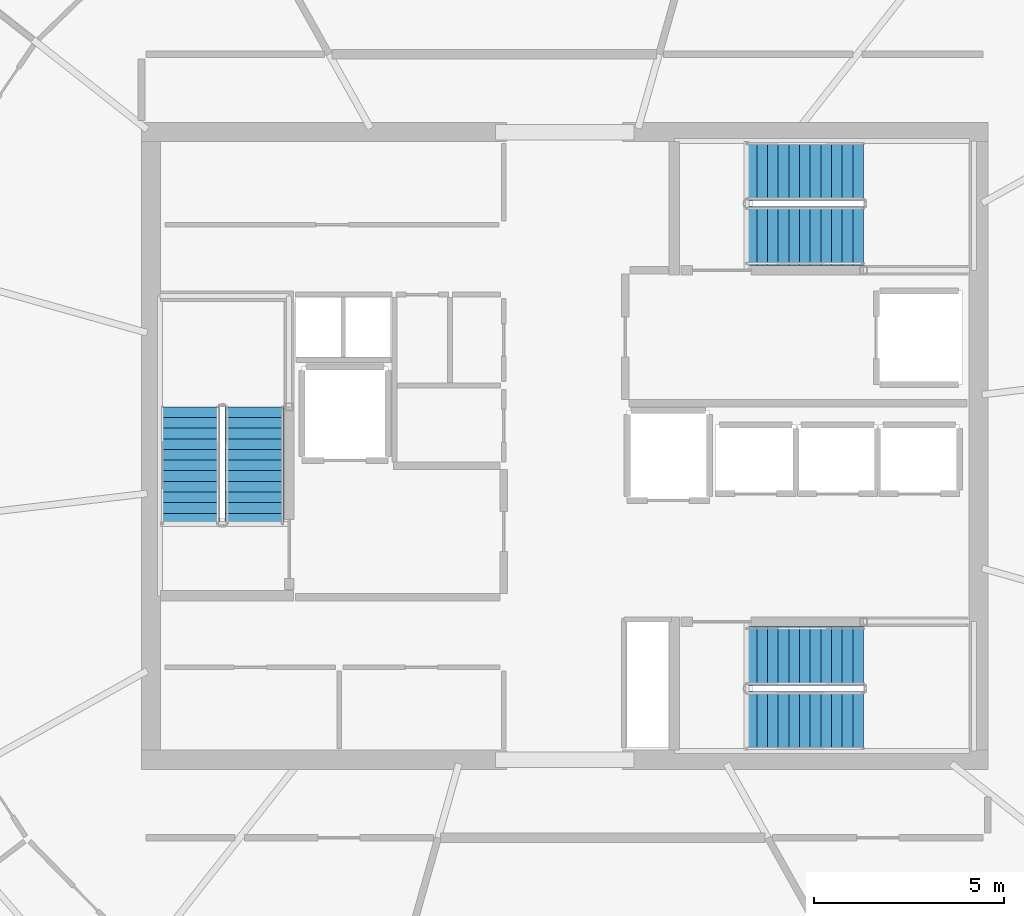
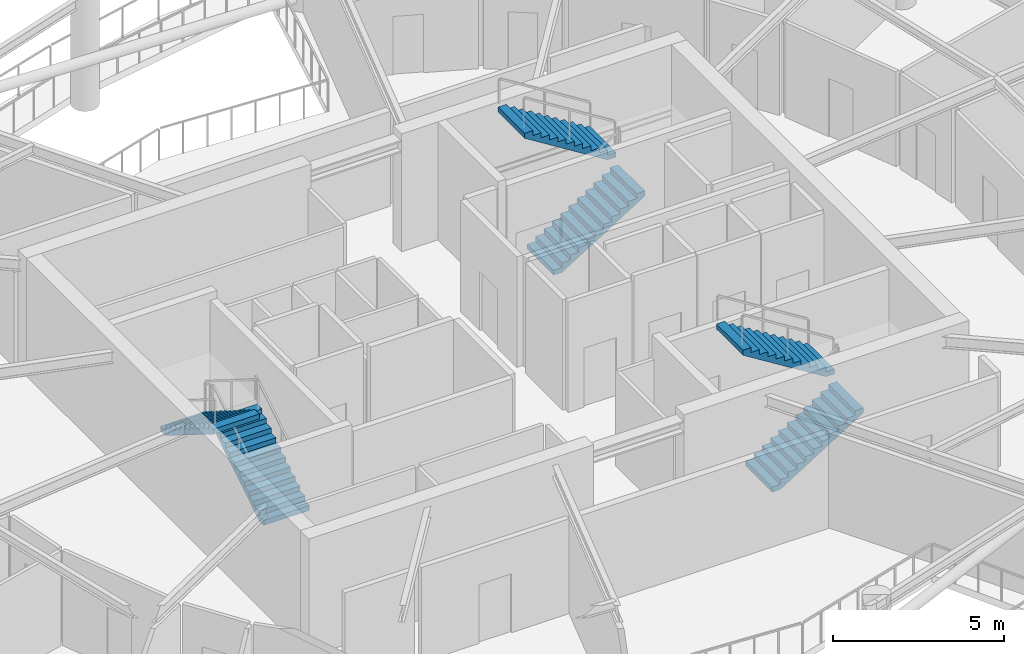
# One storey, part 17 of 22: 6 stair flights, 3 elements without a shape of their own.
"""IFC4 building model written with IfcOpenShell, lengths in metres."""

from ifc_helpers import new_model, si_unit, direction, frame, origin, place, context, subcontext, project, spatial, polyline, outline, extrude, material, type_object, element, aggregate, save


model = new_model("IFC4")

# Units and contexts
model_context = context("Model", 3, precision=1e-05, world=origin(), true_north=direction((0.0, 1.0)))
body_context = subcontext(model_context, "Body", "Model", "MODEL_VIEW")
ifc_project = project(units=[si_unit("LENGTHUNIT", "METRE"), si_unit("AREAUNIT", "SQUARE_METRE"), si_unit("VOLUMEUNIT", "CUBIC_METRE"), si_unit("PLANEANGLEUNIT", "RADIAN"), si_unit("MASSUNIT", "GRAM", prefix="KILO")], contexts=[model_context])

# Site, building, storey
site_placement = place(None, origin())
site = spatial("IfcSite", under=ifc_project, at=site_placement, CompositionType="ELEMENT")
building_placement = place(site_placement, origin())
building = spatial("IfcBuilding", under=site, at=building_placement, Name="Kazma Halo Residences", CompositionType="ELEMENT")
storey_placement = place(building_placement, frame((0.0, 0.0, 322.10009765625)))
storey = spatial("IfcBuildingStorey", under=building, at=storey_placement, Name="L81", CompositionType="ELEMENT", Elevation=322.10009765625)

# Stair, stair flights
ifc_material = material(Name="Concrete C50/60", Category="concrete")
stair_type = type_object("IfcStairType", Name="STR-RES2", PredefinedType="HALF_TURN_STAIR", material=ifc_material)
stair_1_placement = place(storey_placement, origin())
stair_1 = element("IfcStair", 1, at=stair_1_placement, inside=storey, type_object=stair_type, Name="L81 Core exit stair ST-01", PredefinedType="HALF_TURN_STAIR")
stair_flight_type = type_object("IfcStairFlightType", Name="STR-RES2-FLT", PredefinedType="STRAIGHT", material=ifc_material)
stair_flight_1_placement = place(storey_placement, frame((40.27490234375, 39.949951171875, 0.0), z_axis=(0.0, 0.0, 1.0), x_axis=(0.0, 1.0, 0.0)))
stair_flight_1 = element("IfcStairFlight", 2, at=stair_flight_1_placement, type_object=stair_flight_type, Name="ST-01 flight 1", NumberOfRisers=12, NumberOfTreads=11, PredefinedType="STRAIGHT", RiserHeight=0.175, TreadLength=0.28, context=body_context, shape_type="SweptSolid", body=[
    extrude(outline(polyline([(0.0, 0.0), (0.0, 0.175048828125), (0.280029296875, 0.175048828125), (0.280029296875, 0.35009765625), (0.56005859375, 0.35009765625), (0.56005859375, 0.52490234375), (0.840087890625, 0.52490234375), (0.840087890625, 0.699951171875), (1.1201171875, 0.699951171875), (1.1201171875, 0.875), (1.39990234375, 0.875), (1.39990234375, 1.050048828125), (1.679931640625, 1.050048828125), (1.679931640625, 1.22509765625), (1.9599609375, 1.22509765625), (1.9599609375, 1.39990234375), (2.239990234375, 1.39990234375), (2.239990234375, 1.574951171875), (2.52001953125, 1.574951171875), (2.52001953125, 1.75), (2.800048828125, 1.75), (2.800048828125, 1.925048828125), (3.080078125, 1.925048828125), (3.080078125, 2.10009765625), (3.080078125, 1.748291015625), (0.28271484375, 0.0), (0.0, 0.0)])), frame((0.0, 0.77490234375, 0.0), z_axis=(0.0, -1.0, 0.0), x_axis=(1.0, 0.0, 0.0)), (0.0, 0.0, 1.0), 1.550048828125),
])
stair_flight_2_placement = place(storey_placement, frame((38.574951171875, 43.030029296875, 2.099853515625), z_axis=(0.0, 0.0, 1.0), x_axis=(0.0, -1.0, 0.0)))
stair_flight_2 = element("IfcStairFlight", 3, at=stair_flight_2_placement, type_object=stair_flight_type, Name="ST-01 flight 2", NumberOfRisers=12, NumberOfTreads=11, PredefinedType="STRAIGHT", RiserHeight=0.175, TreadLength=0.28, context=body_context, shape_type="SweptSolid", body=[
    extrude(outline(polyline([(0.0, 0.0), (0.0, 0.175048828125), (0.280029296875, 0.175048828125), (0.280029296875, 0.35009765625), (0.56005859375, 0.35009765625), (0.56005859375, 0.52490234375), (0.840087890625, 0.52490234375), (0.840087890625, 0.699951171875), (1.1201171875, 0.699951171875), (1.1201171875, 0.875), (1.39990234375, 0.875), (1.39990234375, 1.050048828125), (1.679931640625, 1.050048828125), (1.679931640625, 1.22509765625), (1.9599609375, 1.22509765625), (1.9599609375, 1.39990234375), (2.239990234375, 1.39990234375), (2.239990234375, 1.574951171875), (2.52001953125, 1.574951171875), (2.52001953125, 1.75), (2.800048828125, 1.75), (2.800048828125, 1.925048828125), (3.080078125, 1.925048828125), (3.080078125, 2.10009765625), (3.080078125, 1.748291015625), (0.28271484375, 0.0), (0.0, 0.0)])), frame((0.0, 0.77490234375, 0.0), z_axis=(0.0, -1.0, 0.0), x_axis=(1.0, 0.0, 0.0)), (0.0, 0.0, 1.0), 1.550048828125),
])
aggregate(stair_1, [stair_flight_1, stair_flight_2])

stair_2_placement = place(storey_placement, origin())
stair_2 = element("IfcStair", 4, at=stair_2_placement, inside=storey, type_object=stair_type, Name="L81 Core exit stair ST-02", PredefinedType="HALF_TURN_STAIR")
stair_flight_3_placement = place(storey_placement, frame((53.199951171875, 47.52490234375, 0.0), z_axis=(0.0, 0.0, 1.0), x_axis=(1.0, 0.0, 0.0)))
stair_flight_3 = element("IfcStairFlight", 5, at=stair_flight_3_placement, type_object=stair_flight_type, Name="ST-02 flight 1", NumberOfRisers=12, NumberOfTreads=11, PredefinedType="STRAIGHT", RiserHeight=0.175, TreadLength=0.28, context=body_context, shape_type="SweptSolid", body=[
    extrude(outline(polyline([(0.0, 0.0), (0.0, 0.175048828125), (0.280029296875, 0.175048828125), (0.280029296875, 0.35009765625), (0.56005859375, 0.35009765625), (0.56005859375, 0.52490234375), (0.840087890625, 0.52490234375), (0.840087890625, 0.699951171875), (1.1201171875, 0.699951171875), (1.1201171875, 0.875), (1.39990234375, 0.875), (1.39990234375, 1.050048828125), (1.679931640625, 1.050048828125), (1.679931640625, 1.22509765625), (1.9599609375, 1.22509765625), (1.9599609375, 1.39990234375), (2.239990234375, 1.39990234375), (2.239990234375, 1.574951171875), (2.52001953125, 1.574951171875), (2.52001953125, 1.75), (2.800048828125, 1.75), (2.800048828125, 1.925048828125), (3.080078125, 1.925048828125), (3.080078125, 2.10009765625), (3.080078125, 1.748291015625), (0.28271484375, 0.0), (0.0, 0.0)])), frame((0.0, 0.77490234375, 0.0), z_axis=(0.0, -1.0, 0.0), x_axis=(1.0, 0.0, 0.0)), (0.0, 0.0, 1.0), 1.550048828125),
])
stair_flight_4_placement = place(storey_placement, frame((56.280029296875, 49.22509765625, 2.099853515625), z_axis=(0.0, 0.0, 1.0), x_axis=(-1.0, 0.0, 0.0)))
stair_flight_4 = element("IfcStairFlight", 6, at=stair_flight_4_placement, type_object=stair_flight_type, Name="ST-02 flight 2", NumberOfRisers=12, NumberOfTreads=11, PredefinedType="STRAIGHT", RiserHeight=0.175, TreadLength=0.28, context=body_context, shape_type="SweptSolid", body=[
    extrude(outline(polyline([(0.0, 0.0), (0.0, 0.175048828125), (0.280029296875, 0.175048828125), (0.280029296875, 0.35009765625), (0.56005859375, 0.35009765625), (0.56005859375, 0.52490234375), (0.840087890625, 0.52490234375), (0.840087890625, 0.699951171875), (1.1201171875, 0.699951171875), (1.1201171875, 0.875), (1.39990234375, 0.875), (1.39990234375, 1.050048828125), (1.679931640625, 1.050048828125), (1.679931640625, 1.22509765625), (1.9599609375, 1.22509765625), (1.9599609375, 1.39990234375), (2.239990234375, 1.39990234375), (2.239990234375, 1.574951171875), (2.52001953125, 1.574951171875), (2.52001953125, 1.75), (2.800048828125, 1.75), (2.800048828125, 1.925048828125), (3.080078125, 1.925048828125), (3.080078125, 2.10009765625), (3.080078125, 1.748291015625), (0.28271484375, 0.0), (0.0, 0.0)])), frame((0.0, 0.77490234375, 0.0), z_axis=(0.0, -1.0, 0.0), x_axis=(1.0, 0.0, 0.0)), (0.0, 0.0, 1.0), 1.550048828125),
])
aggregate(stair_2, [stair_flight_3, stair_flight_4])

stair_3_placement = place(storey_placement, origin())
stair_3 = element("IfcStair", 7, at=stair_3_placement, inside=storey, type_object=stair_type, Name="L81 Core exit stair ST-03", PredefinedType="HALF_TURN_STAIR")
stair_flight_5_placement = place(storey_placement, frame((53.199951171875, 34.77490234375, 0.0), z_axis=(0.0, 0.0, 1.0), x_axis=(1.0, 0.0, 0.0)))
stair_flight_5 = element("IfcStairFlight", 8, at=stair_flight_5_placement, type_object=stair_flight_type, Name="ST-03 flight 1", NumberOfRisers=12, NumberOfTreads=11, PredefinedType="STRAIGHT", RiserHeight=0.175, TreadLength=0.28, context=body_context, shape_type="SweptSolid", body=[
    extrude(outline(polyline([(0.0, 0.0), (0.0, 0.175048828125), (0.280029296875, 0.175048828125), (0.280029296875, 0.35009765625), (0.56005859375, 0.35009765625), (0.56005859375, 0.52490234375), (0.840087890625, 0.52490234375), (0.840087890625, 0.699951171875), (1.1201171875, 0.699951171875), (1.1201171875, 0.875), (1.39990234375, 0.875), (1.39990234375, 1.050048828125), (1.679931640625, 1.050048828125), (1.679931640625, 1.22509765625), (1.9599609375, 1.22509765625), (1.9599609375, 1.39990234375), (2.239990234375, 1.39990234375), (2.239990234375, 1.574951171875), (2.52001953125, 1.574951171875), (2.52001953125, 1.75), (2.800048828125, 1.75), (2.800048828125, 1.925048828125), (3.080078125, 1.925048828125), (3.080078125, 2.10009765625), (3.080078125, 1.748291015625), (0.28271484375, 0.0), (0.0, 0.0)])), frame((0.0, 0.77490234375, 0.0), z_axis=(0.0, -1.0, 0.0), x_axis=(1.0, 0.0, 0.0)), (0.0, 0.0, 1.0), 1.550048828125),
])
stair_flight_6_placement = place(storey_placement, frame((56.280029296875, 36.47509765625, 2.099853515625), z_axis=(0.0, 0.0, 1.0), x_axis=(-1.0, 0.0, 0.0)))
stair_flight_6 = element("IfcStairFlight", 9, at=stair_flight_6_placement, type_object=stair_flight_type, Name="ST-03 flight 2", NumberOfRisers=12, NumberOfTreads=11, PredefinedType="STRAIGHT", RiserHeight=0.175, TreadLength=0.28, context=body_context, shape_type="SweptSolid", body=[
    extrude(outline(polyline([(0.0, 0.0), (0.0, 0.175048828125), (0.280029296875, 0.175048828125), (0.280029296875, 0.35009765625), (0.56005859375, 0.35009765625), (0.56005859375, 0.52490234375), (0.840087890625, 0.52490234375), (0.840087890625, 0.699951171875), (1.1201171875, 0.699951171875), (1.1201171875, 0.875), (1.39990234375, 0.875), (1.39990234375, 1.050048828125), (1.679931640625, 1.050048828125), (1.679931640625, 1.22509765625), (1.9599609375, 1.22509765625), (1.9599609375, 1.39990234375), (2.239990234375, 1.39990234375), (2.239990234375, 1.574951171875), (2.52001953125, 1.574951171875), (2.52001953125, 1.75), (2.800048828125, 1.75), (2.800048828125, 1.925048828125), (3.080078125, 1.925048828125), (3.080078125, 2.10009765625), (3.080078125, 1.748291015625), (0.28271484375, 0.0), (0.0, 0.0)])), frame((0.0, 0.77490234375, 0.0), z_axis=(0.0, -1.0, 0.0), x_axis=(1.0, 0.0, 0.0)), (0.0, 0.0, 1.0), 1.550048828125),
])
aggregate(stair_3, [stair_flight_5, stair_flight_6])

save(model, "model.ifc")
